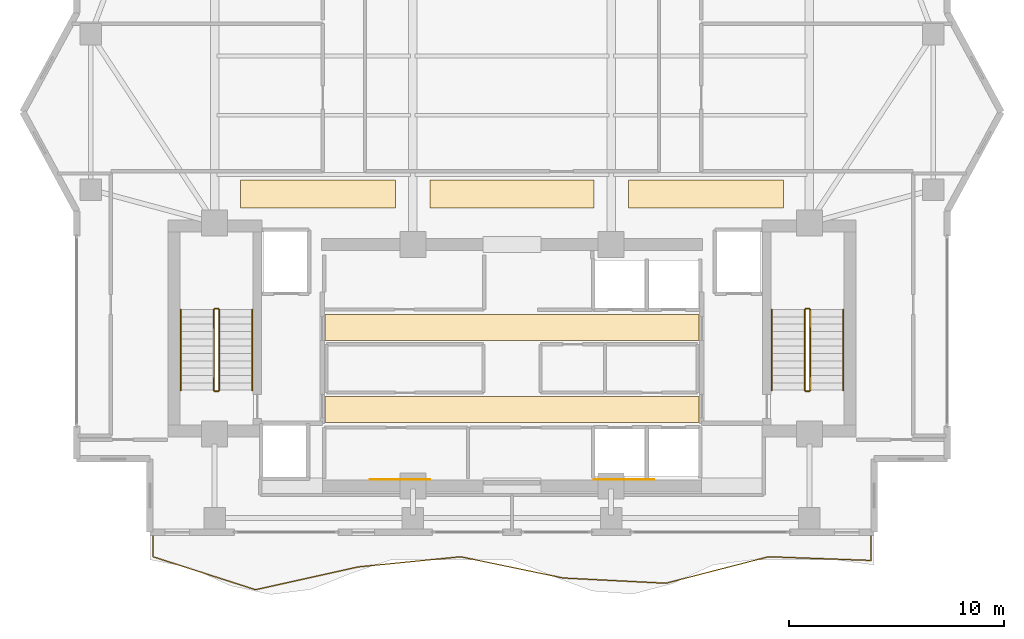
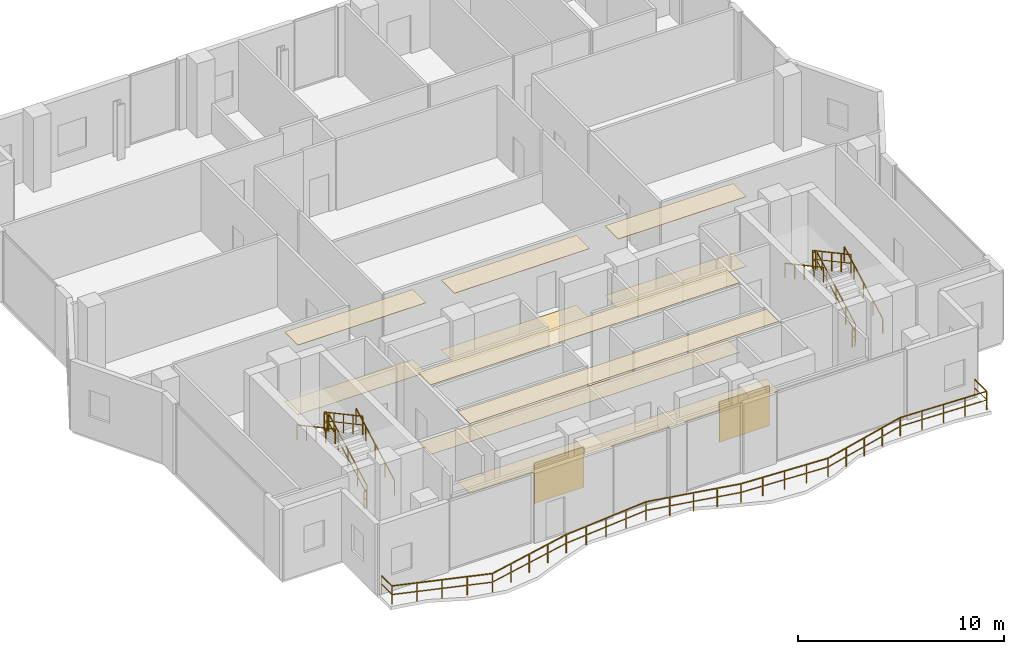
# One storey, part 21 of 24: 13 railings, 12 coverings.
"""IFC4 building model written with IfcOpenShell, lengths in metres."""

from ifc_helpers import new_model, si_unit, direction, frame, origin, origin_2d, place, context, subcontext, project, spatial, polyline, rectangle, outline, extrude, material, layer, layer_set, type_object, element, save


model = new_model("IFC4")

# Units and contexts
model_context = context("Model", 3, precision=1e-05, world=origin(), true_north=direction((0.0, 1.0)))
body_context = subcontext(model_context, "Body", "Model", "MODEL_VIEW")
ifc_project = project(units=[si_unit("LENGTHUNIT", "METRE"), si_unit("AREAUNIT", "SQUARE_METRE"), si_unit("VOLUMEUNIT", "CUBIC_METRE"), si_unit("PLANEANGLEUNIT", "RADIAN"), si_unit("MASSUNIT", "GRAM", prefix="KILO")], contexts=[model_context])

# Site, building, storey
site_placement = place(None, origin())
site = spatial("IfcSite", under=ifc_project, at=site_placement, CompositionType="ELEMENT")
building_placement = place(site_placement, origin())
building = spatial("IfcBuilding", under=site, at=building_placement, Name="Zuhayl Quay Hotel", CompositionType="ELEMENT")
storey_placement = place(building_placement, frame((0.0, 0.0, 292.85009765625)))
storey = spatial("IfcBuildingStorey", under=building, at=storey_placement, Name="L74", CompositionType="ELEMENT", Elevation=292.85009765625)

# Coverings
ifc_material_1 = material(Name="Acoustic Mineral-Fibre Gypsum Board")
ifc_layer_1 = layer(ifc_material_1, 0.02490234375, Name="Acoustic Mineral-Fibre Gypsum Board")
ifc_layer_set_1 = layer_set([ifc_layer_1], Name="Acoustic Mineral-Fibre Gypsum Board")
covering_type_1 = type_object("IfcCoveringType", Name="CV_CEIL_ACOUSTIC", PredefinedType="CEILING", material=ifc_layer_set_1)
covering_1_placement = place(storey_placement, frame((0.0, 0.0, 4.135009765625)))
element("IfcCovering", 1, at=covering_1_placement, inside=storey, type_object=covering_type_1, Name="L74 Suspended Acoustic Lobby Ceiling S", PredefinedType="CEILING", context=body_context, shape_type="SweptSolid", body=[
    extrude(outline(polyline([(-8.679931640625, 5.10009765625), (8.679931640625, 5.10009765625), (8.679931640625, 6.300048828125), (-8.679931640625, 6.300048828125), (-8.679931640625, 5.10009765625)])), origin(), (0.0, 0.0, 1.0), 0.02490234375),
])
covering_2_placement = place(storey_placement, frame((0.0, 0.0, 4.135009765625)))
element("IfcCovering", 2, at=covering_2_placement, inside=storey, type_object=covering_type_1, Name="L74 Suspended Acoustic Lobby Ceiling N", PredefinedType="CEILING", context=body_context, shape_type="SweptSolid", body=[
    extrude(outline(polyline([(-8.679931640625, 8.89990234375), (8.679931640625, 8.89990234375), (8.679931640625, 10.10009765625), (-8.679931640625, 10.10009765625), (-8.679931640625, 8.89990234375)])), origin(), (0.0, 0.0, 1.0), 0.02490234375),
])
covering_3_placement = place(storey_placement, frame((0.0, 0.0, 4.135009765625)))
element("IfcCovering", 3, at=covering_3_placement, inside=storey, type_object=covering_type_1, Name="L74 Guest Corridor Acoustic Ceiling CW", PredefinedType="CEILING", context=body_context, shape_type="SweptSolid", body=[
    extrude(outline(polyline([(-12.60009765625, 15.050048828125), (-5.39990234375, 15.050048828125), (-5.39990234375, 16.35009765625), (-12.60009765625, 16.35009765625), (-12.60009765625, 15.050048828125)])), origin(), (0.0, 0.0, 1.0), 0.02490234375),
])
covering_4_placement = place(storey_placement, frame((0.0, 0.0, 4.135009765625)))
element("IfcCovering", 4, at=covering_4_placement, inside=storey, type_object=covering_type_1, Name="L74 Guest Corridor Acoustic Ceiling CC", PredefinedType="CEILING", context=body_context, shape_type="SweptSolid", body=[
    extrude(outline(polyline([(-3.800048828125, 15.050048828125), (3.800048828125, 15.050048828125), (3.800048828125, 16.35009765625), (-3.800048828125, 16.35009765625), (-3.800048828125, 15.050048828125)])), origin(), (0.0, 0.0, 1.0), 0.02490234375),
])
covering_5_placement = place(storey_placement, frame((0.0, 0.0, 4.135009765625)))
element("IfcCovering", 5, at=covering_5_placement, inside=storey, type_object=covering_type_1, Name="L74 Guest Corridor Acoustic Ceiling CE", PredefinedType="CEILING", context=body_context, shape_type="SweptSolid", body=[
    extrude(outline(polyline([(5.39990234375, 15.050048828125), (12.60009765625, 15.050048828125), (12.60009765625, 16.35009765625), (5.39990234375, 16.35009765625), (5.39990234375, 15.050048828125)])), origin(), (0.0, 0.0, 1.0), 0.02490234375),
])
ifc_material_2 = material(Name="Polished Limestone Terrazzo", Category="masonry")
ifc_layer_2 = layer(ifc_material_2, 0.02001953125, Name="Polished Limestone Terrazzo", Category="masonry")
ifc_layer_set_2 = layer_set([ifc_layer_2], Name="Polished Limestone Terrazzo")
covering_type_2 = type_object("IfcCoveringType", Name="CV_FLOOR_TERRAZZO", PredefinedType="FLOORING", material=ifc_layer_set_2)
covering_6_placement = place(storey_placement, origin())
element("IfcCovering", 6, at=covering_6_placement, inside=storey, type_object=covering_type_2, Name="L74 Honed Limestone Terrazzo Lobby Flooring S", PredefinedType="FLOORING", context=body_context, shape_type="SweptSolid", body=[
    extrude(outline(polyline([(-8.679931640625, 5.10009765625), (8.679931640625, 5.10009765625), (8.679931640625, 6.300048828125), (-8.679931640625, 6.300048828125), (-8.679931640625, 5.10009765625)])), origin(), (0.0, 0.0, 1.0), 0.02001953125),
])
covering_7_placement = place(storey_placement, origin())
element("IfcCovering", 7, at=covering_7_placement, inside=storey, type_object=covering_type_2, Name="L74 Honed Limestone Terrazzo Lobby Flooring N", PredefinedType="FLOORING", context=body_context, shape_type="SweptSolid", body=[
    extrude(outline(polyline([(-8.679931640625, 8.89990234375), (8.679931640625, 8.89990234375), (8.679931640625, 10.10009765625), (-8.679931640625, 10.10009765625), (-8.679931640625, 8.89990234375)])), origin(), (0.0, 0.0, 1.0), 0.02001953125),
])
covering_8_placement = place(storey_placement, origin())
element("IfcCovering", 8, at=covering_8_placement, inside=storey, type_object=covering_type_2, Name="L74 Guest Corridor Terrazzo Runner CW", PredefinedType="FLOORING", context=body_context, shape_type="SweptSolid", body=[
    extrude(outline(polyline([(-12.60009765625, 15.050048828125), (-5.39990234375, 15.050048828125), (-5.39990234375, 16.35009765625), (-12.60009765625, 16.35009765625), (-12.60009765625, 15.050048828125)])), origin(), (0.0, 0.0, 1.0), 0.02001953125),
])
covering_9_placement = place(storey_placement, origin())
element("IfcCovering", 9, at=covering_9_placement, inside=storey, type_object=covering_type_2, Name="L74 Guest Corridor Terrazzo Runner CC", PredefinedType="FLOORING", context=body_context, shape_type="SweptSolid", body=[
    extrude(outline(polyline([(-3.800048828125, 15.050048828125), (3.800048828125, 15.050048828125), (3.800048828125, 16.35009765625), (-3.800048828125, 16.35009765625), (-3.800048828125, 15.050048828125)])), origin(), (0.0, 0.0, 1.0), 0.02001953125),
])
covering_10_placement = place(storey_placement, origin())
element("IfcCovering", 10, at=covering_10_placement, inside=storey, type_object=covering_type_2, Name="L74 Guest Corridor Terrazzo Runner CE", PredefinedType="FLOORING", context=body_context, shape_type="SweptSolid", body=[
    extrude(outline(polyline([(5.39990234375, 15.050048828125), (12.60009765625, 15.050048828125), (12.60009765625, 16.35009765625), (5.39990234375, 16.35009765625), (5.39990234375, 15.050048828125)])), origin(), (0.0, 0.0, 1.0), 0.02001953125),
])
ifc_material_3 = material(Name="Acoustic Walnut Feature Timber", Category="wood")
ifc_layer_3 = layer(ifc_material_3, 0.02197265625, Name="Acoustic Walnut Feature Timber", Category="wood")
ifc_layer_set_3 = layer_set([ifc_layer_3], Name="Acoustic Walnut Feature Timber")
covering_type_3 = type_object("IfcCoveringType", Name="CV_WALL_CLAD", PredefinedType="CLADDING", material=ifc_layer_set_3)
for number, where, z_axis, x_axis, name in (
    (11, (-5.199951171875, 2.43603515625, 0.300048828125), (0.0, 0.0, 1.0), (1.0, 0.0, 0.0), "L74 Feature Lobby Walnut Wall Cladding W"),
    (12, (5.199951171875, 2.43603515625, 0.300048828125), (0.0, 0.0, 1.0), (1.0, 0.0, 0.0), "L74 Feature Lobby Walnut Wall Cladding E"),
):
    element("IfcCovering", number, at=place(storey_placement, frame(where, z_axis=z_axis, x_axis=x_axis)), inside=storey, type_object=covering_type_3, Name=name, PredefinedType="CLADDING", context=body_context, shape_type="SweptSolid", body=[
        extrude(rectangle(XDim=2.800048828125, YDim=0.02197265625, at=origin_2d()), origin(), (0.0, 0.0, 1.0), 2.39990234375),
    ])

# Railings
ifc_material_4 = material(Name="Anodised Aluminium and Laminated Glass", Category="aluminium")
railing_type_1 = type_object("IfcRailingType", Name="RL_EXT_BAL_1100", PredefinedType="BALUSTRADE", material=ifc_material_4)
railing_1_placement = place(storey_placement, frame((-16.659912109375, -0.1201171875, 0.0)))
element("IfcRailing", 13, at=railing_1_placement, inside=storey, type_object=railing_type_1, Name="L74 Balcony and Terrace Guard GR_L74_BAL_S", PredefinedType="BALUSTRADE", context=body_context, shape_type="SweptSolid", body=[
    extrude(rectangle(XDim=0.048095703125, YDim=0.048095703125, at=origin_2d()), frame((0.0, 0.0, 1.09619140625), z_axis=(0.0, -1.0, 0.0), x_axis=(1.0, 0.0, 0.0)), (0.0, 0.0, 1.0), 1.019775390625),
    extrude(rectangle(XDim=0.0361328125, YDim=0.0361328125, at=origin_2d()), frame((0.0, 0.0, 0.58251953125), z_axis=(0.0, -1.0, 0.0), x_axis=(1.0, 0.0, 0.0)), (0.0, 0.0, 1.0), 1.019775390625),
    extrude(rectangle(XDim=0.048095703125, YDim=0.048095703125, at=origin_2d()), frame((0.0, -1.019775390625, 1.09619140625), z_axis=(0.951970121484, -0.306190933571, 0.0), x_axis=(0.306190933571, 0.951970121484, 0.0)), (0.0, 0.0, 1.0), 5.000244140625),
    extrude(rectangle(XDim=0.0361328125, YDim=0.0361328125, at=origin_2d()), frame((0.0, -1.019775390625, 0.58251953125), z_axis=(0.951970121484, -0.306190933571, 0.0), x_axis=(0.306190933571, 0.951970121484, 0.0)), (0.0, 0.0, 1.0), 5.000244140625),
    extrude(rectangle(XDim=0.048095703125, YDim=0.048095703125, at=origin_2d()), frame((4.760009765625, -2.55078125, 1.09619140625), z_axis=(0.97610925013, 0.217280306999, 0.0), x_axis=(-0.217280306999, 0.97610925013, 0.0)), (0.0, 0.0, 1.0), 4.87646484375),
    extrude(rectangle(XDim=0.0361328125, YDim=0.0361328125, at=origin_2d()), frame((4.760009765625, -2.55078125, 0.58251953125), z_axis=(0.97610925013, 0.217280306999, 0.0), x_axis=(-0.217280306999, 0.97610925013, 0.0)), (0.0, 0.0, 1.0), 4.87646484375),
    extrude(rectangle(XDim=0.048095703125, YDim=0.048095703125, at=origin_2d()), frame((9.52001953125, -1.4912109375, 1.09619140625), z_axis=(0.995131241685, 0.098558671985, 0.0), x_axis=(-0.098558671985, 0.995131241685, 0.0)), (0.0, 0.0, 1.0), 4.783203125),
    extrude(rectangle(XDim=0.0361328125, YDim=0.0361328125, at=origin_2d()), frame((9.52001953125, -1.4912109375, 0.58251953125), z_axis=(0.995131241685, 0.098558671985, 0.0), x_axis=(-0.098558671985, 0.995131241685, 0.0)), (0.0, 0.0, 1.0), 4.783203125),
    extrude(rectangle(XDim=0.048095703125, YDim=0.048095703125, at=origin_2d()), frame((14.280029296875, -1.019775390625, 1.09619140625), z_axis=(0.979187165661, -0.202959342246, 0.0), x_axis=(0.202959342246, 0.979187165661, 0.0)), (0.0, 0.0, 1.0), 4.86083984375),
    extrude(rectangle(XDim=0.0361328125, YDim=0.0361328125, at=origin_2d()), frame((14.280029296875, -1.019775390625, 0.58251953125), z_axis=(0.979187165661, -0.202959342246, 0.0), x_axis=(0.202959342246, 0.979187165661, 0.0)), (0.0, 0.0, 1.0), 4.86083984375),
    extrude(rectangle(XDim=0.048095703125, YDim=0.048095703125, at=origin_2d()), frame((19.039794921875, -2.00634765625, 1.09619140625), z_axis=(0.998713333504, -0.050711709502, 0.0), x_axis=(0.050711709502, 0.998713333504, 0.0)), (0.0, 0.0, 1.0), 4.76611328125),
    extrude(rectangle(XDim=0.0361328125, YDim=0.0361328125, at=origin_2d()), frame((19.039794921875, -2.00634765625, 0.58251953125), z_axis=(0.998713333504, -0.050711709502, 0.0), x_axis=(0.050711709502, 0.998713333504, 0.0)), (0.0, 0.0, 1.0), 4.76611328125),
    extrude(rectangle(XDim=0.048095703125, YDim=0.048095703125, at=origin_2d()), frame((23.7998046875, -2.248046875, 1.09619140625), z_axis=(0.968283137674, 0.249855488826, 0.0), x_axis=(-0.249855488826, 0.968283137674, 0.0)), (0.0, 0.0, 1.0), 4.916015625),
    extrude(rectangle(XDim=0.0361328125, YDim=0.0361328125, at=origin_2d()), frame((23.7998046875, -2.248046875, 0.58251953125), z_axis=(0.968283137674, 0.249855488826, 0.0), x_axis=(-0.249855488826, 0.968283137674, 0.0)), (0.0, 0.0, 1.0), 4.916015625),
    extrude(rectangle(XDim=0.048095703125, YDim=0.048095703125, at=origin_2d()), frame((28.559814453125, -1.019775390625, 1.09619140625), z_axis=(0.999352430133, -0.035982223211, 0.0), x_axis=(0.035982223211, 0.999352430133, 0.0)), (0.0, 0.0, 1.0), 4.76318359375),
    extrude(rectangle(XDim=0.0361328125, YDim=0.0361328125, at=origin_2d()), frame((28.559814453125, -1.019775390625, 0.58251953125), z_axis=(0.999352430133, -0.035982223211, 0.0), x_axis=(0.035982223211, 0.999352430133, 0.0)), (0.0, 0.0, 1.0), 4.76318359375),
    extrude(rectangle(XDim=0.048095703125, YDim=0.048095703125, at=origin_2d()), frame((33.31982421875, -1.191162109375, 1.09619140625), z_axis=(0.0, 1.0, 0.0), x_axis=(-1.0, 0.0, 0.0)), (0.0, 0.0, 1.0), 1.191162109375),
    extrude(rectangle(XDim=0.0361328125, YDim=0.0361328125, at=origin_2d()), frame((33.31982421875, -1.191162109375, 0.58251953125), z_axis=(0.0, 1.0, 0.0), x_axis=(-1.0, 0.0, 0.0)), (0.0, 0.0, 1.0), 1.191162109375),
    extrude(rectangle(XDim=0.0419921875, YDim=0.0419921875, at=origin_2d()), origin(), (0.0, 0.0, 1.0), 1.072021484375),
    extrude(rectangle(XDim=0.0419921875, YDim=0.0419921875, at=origin_2d()), frame((0.0, -1.019775390625, 0.0)), (0.0, 0.0, 1.0), 1.072021484375),
    extrude(rectangle(XDim=0.0419921875, YDim=0.0419921875, at=origin_2d()), frame((1.18994140625, -1.402587890625, 0.0)), (0.0, 0.0, 1.0), 1.072021484375),
    extrude(rectangle(XDim=0.0419921875, YDim=0.0419921875, at=origin_2d()), frame((2.3798828125, -1.78515625, 0.0)), (0.0, 0.0, 1.0), 1.072021484375),
    extrude(rectangle(XDim=0.0419921875, YDim=0.0419921875, at=origin_2d()), frame((3.570068359375, -2.16796875, 0.0)), (0.0, 0.0, 1.0), 1.072021484375),
    extrude(rectangle(XDim=0.0419921875, YDim=0.0419921875, at=origin_2d()), frame((4.760009765625, -2.55078125, 0.0)), (0.0, 0.0, 1.0), 1.072021484375),
    extrude(rectangle(XDim=0.0419921875, YDim=0.0419921875, at=origin_2d()), frame((5.949951171875, -2.285888671875, 0.0)), (0.0, 0.0, 1.0), 1.072021484375),
    extrude(rectangle(XDim=0.0419921875, YDim=0.0419921875, at=origin_2d()), frame((7.14013671875, -2.02099609375, 0.0)), (0.0, 0.0, 1.0), 1.072021484375),
    extrude(rectangle(XDim=0.0419921875, YDim=0.0419921875, at=origin_2d()), frame((8.330078125, -1.756103515625, 0.0)), (0.0, 0.0, 1.0), 1.072021484375),
    extrude(rectangle(XDim=0.0419921875, YDim=0.0419921875, at=origin_2d()), frame((9.52001953125, -1.4912109375, 0.0)), (0.0, 0.0, 1.0), 1.072021484375),
    extrude(rectangle(XDim=0.0419921875, YDim=0.0419921875, at=origin_2d()), frame((10.7099609375, -1.373291015625, 0.0)), (0.0, 0.0, 1.0), 1.072021484375),
    extrude(rectangle(XDim=0.0419921875, YDim=0.0419921875, at=origin_2d()), frame((11.89990234375, -1.25537109375, 0.0)), (0.0, 0.0, 1.0), 1.072021484375),
    extrude(rectangle(XDim=0.0419921875, YDim=0.0419921875, at=origin_2d()), frame((13.090087890625, -1.1376953125, 0.0)), (0.0, 0.0, 1.0), 1.072021484375),
    extrude(rectangle(XDim=0.0419921875, YDim=0.0419921875, at=origin_2d()), frame((14.280029296875, -1.019775390625, 0.0)), (0.0, 0.0, 1.0), 1.072021484375),
    extrude(rectangle(XDim=0.0419921875, YDim=0.0419921875, at=origin_2d()), frame((15.469970703125, -1.266357421875, 0.0)), (0.0, 0.0, 1.0), 1.072021484375),
    extrude(rectangle(XDim=0.0419921875, YDim=0.0419921875, at=origin_2d()), frame((16.659912109375, -1.51318359375, 0.0)), (0.0, 0.0, 1.0), 1.072021484375),
    extrude(rectangle(XDim=0.0419921875, YDim=0.0419921875, at=origin_2d()), frame((17.849853515625, -1.759765625, 0.0)), (0.0, 0.0, 1.0), 1.072021484375),
    extrude(rectangle(XDim=0.0419921875, YDim=0.0419921875, at=origin_2d()), frame((19.039794921875, -2.00634765625, 0.0)), (0.0, 0.0, 1.0), 1.072021484375),
    extrude(rectangle(XDim=0.0419921875, YDim=0.0419921875, at=origin_2d()), frame((20.229736328125, -2.06689453125, 0.0)), (0.0, 0.0, 1.0), 1.072021484375),
    extrude(rectangle(XDim=0.0419921875, YDim=0.0419921875, at=origin_2d()), frame((21.419921875, -2.127197265625, 0.0)), (0.0, 0.0, 1.0), 1.072021484375),
    extrude(rectangle(XDim=0.0419921875, YDim=0.0419921875, at=origin_2d()), frame((22.60986328125, -2.1875, 0.0)), (0.0, 0.0, 1.0), 1.072021484375),
    extrude(rectangle(XDim=0.0419921875, YDim=0.0419921875, at=origin_2d()), frame((23.7998046875, -2.248046875, 0.0)), (0.0, 0.0, 1.0), 1.072021484375),
    extrude(rectangle(XDim=0.0419921875, YDim=0.0419921875, at=origin_2d()), frame((24.98974609375, -1.94091796875, 0.0)), (0.0, 0.0, 1.0), 1.072021484375),
    extrude(rectangle(XDim=0.0419921875, YDim=0.0419921875, at=origin_2d()), frame((26.1796875, -1.6337890625, 0.0)), (0.0, 0.0, 1.0), 1.072021484375),
    extrude(rectangle(XDim=0.0419921875, YDim=0.0419921875, at=origin_2d()), frame((27.369873046875, -1.326904296875, 0.0)), (0.0, 0.0, 1.0), 1.072021484375),
    extrude(rectangle(XDim=0.0419921875, YDim=0.0419921875, at=origin_2d()), frame((28.559814453125, -1.019775390625, 0.0)), (0.0, 0.0, 1.0), 1.072021484375),
    extrude(rectangle(XDim=0.0419921875, YDim=0.0419921875, at=origin_2d()), frame((29.749755859375, -1.0625, 0.0)), (0.0, 0.0, 1.0), 1.072021484375),
    extrude(rectangle(XDim=0.0419921875, YDim=0.0419921875, at=origin_2d()), frame((30.93994140625, -1.10546875, 0.0)), (0.0, 0.0, 1.0), 1.072021484375),
    extrude(rectangle(XDim=0.0419921875, YDim=0.0419921875, at=origin_2d()), frame((32.1298828125, -1.1484375, 0.0)), (0.0, 0.0, 1.0), 1.072021484375),
    extrude(rectangle(XDim=0.0419921875, YDim=0.0419921875, at=origin_2d()), frame((33.31982421875, -1.191162109375, 0.0)), (0.0, 0.0, 1.0), 1.072021484375),
    extrude(rectangle(XDim=0.0419921875, YDim=0.0419921875, at=origin_2d()), frame((33.31982421875, 0.0, 0.0)), (0.0, 0.0, 1.0), 1.072021484375),
])
ifc_material_5 = material(Name="Steel ASTM A992 Grade 50", Category="steel")
railing_type_2 = type_object("IfcRailingType", Name="RL_GUARD_1100", PredefinedType="GUARDRAIL", material=ifc_material_5)
railing_2_placement = place(storey_placement, frame((-13.590087890625, 6.590087890625, 0.183349609375)))
element("IfcRailing", 14, at=railing_2_placement, inside=storey, type_object=railing_type_2, Name="L74 ST1 stair guard 1", PredefinedType="GUARDRAIL", context=body_context, shape_type="SweptSolid", body=[
    extrude(rectangle(XDim=0.048095703125, YDim=0.048095703125, at=origin_2d()), frame((0.0, 0.0, 1.09619140625), z_axis=(0.0, 0.880199743355, 0.474603425818), x_axis=(-1.0, 0.0, 0.0)), (0.0, 0.0, 1.0), 4.2490234375),
    extrude(rectangle(XDim=0.0361328125, YDim=0.0361328125, at=origin_2d()), frame((0.0, 0.0, 0.58251953125), z_axis=(0.0, 0.880199743355, 0.474603425818), x_axis=(-1.0, 0.0, 0.0)), (0.0, 0.0, 1.0), 4.2490234375),
    extrude(rectangle(XDim=0.0419921875, YDim=0.0419921875, at=origin_2d()), origin(), (0.0, 0.0, 1.0), 1.072021484375),
    extrude(rectangle(XDim=0.0419921875, YDim=0.0419921875, at=origin_2d()), frame((0.0, 0.93505859375, 0.504150390625)), (0.0, 0.0, 1.0), 1.072021484375),
    extrude(rectangle(XDim=0.0419921875, YDim=0.0419921875, at=origin_2d()), frame((0.0, 1.8701171875, 1.00830078125)), (0.0, 0.0, 1.0), 1.072021484375),
    extrude(rectangle(XDim=0.0419921875, YDim=0.0419921875, at=origin_2d()), frame((0.0, 2.804931640625, 1.512451171875)), (0.0, 0.0, 1.0), 1.072021484375),
    extrude(rectangle(XDim=0.0419921875, YDim=0.0419921875, at=origin_2d()), frame((0.0, 3.739990234375, 2.0166015625)), (0.0, 0.0, 1.0), 1.072021484375),
])
railing_3_placement = place(storey_placement, frame((-13.639892578125, 10.3798828125, 2.199951171875)))
element("IfcRailing", 15, at=railing_3_placement, inside=storey, type_object=railing_type_2, Name="L74 ST1 stair guard 2", PredefinedType="GUARDRAIL", context=body_context, shape_type="SweptSolid", body=[
    extrude(rectangle(XDim=0.048095703125, YDim=0.048095703125, at=origin_2d()), frame((0.0, 0.0, 1.09619140625), z_axis=(-1.0, 0.0, 0.0), x_axis=(0.0, -1.0, 0.0)), (0.0, 0.0, 1.0), 0.150146484375),
    extrude(rectangle(XDim=0.0361328125, YDim=0.0361328125, at=origin_2d()), frame((0.0, 0.0, 0.58251953125), z_axis=(-1.0, 0.0, 0.0), x_axis=(0.0, -1.0, 0.0)), (0.0, 0.0, 1.0), 0.150146484375),
    extrude(rectangle(XDim=0.0419921875, YDim=0.0419921875, at=origin_2d()), origin(), (0.0, 0.0, 1.0), 1.072021484375),
    extrude(rectangle(XDim=0.0419921875, YDim=0.0419921875, at=origin_2d()), frame((-0.150146484375, 0.0, 0.0)), (0.0, 0.0, 1.0), 1.072021484375),
])
railing_4_placement = place(storey_placement, frame((-13.840087890625, 10.330078125, 2.38330078125)))
element("IfcRailing", 16, at=railing_4_placement, inside=storey, type_object=railing_type_2, Name="L74 ST1 stair guard 3", PredefinedType="GUARDRAIL", context=body_context, shape_type="SweptSolid", body=[
    extrude(rectangle(XDim=0.048095703125, YDim=0.048095703125, at=origin_2d()), frame((0.0, 0.0, 1.09619140625), z_axis=(0.0, -0.880199743355, 0.474603425818), x_axis=(1.0, 0.0, 0.0)), (0.0, 0.0, 1.0), 4.2490234375),
    extrude(rectangle(XDim=0.0361328125, YDim=0.0361328125, at=origin_2d()), frame((0.0, 0.0, 0.58251953125), z_axis=(0.0, -0.880199743355, 0.474603425818), x_axis=(1.0, 0.0, 0.0)), (0.0, 0.0, 1.0), 4.2490234375),
    extrude(rectangle(XDim=0.0419921875, YDim=0.0419921875, at=origin_2d()), origin(), (0.0, 0.0, 1.0), 1.072021484375),
    extrude(rectangle(XDim=0.0419921875, YDim=0.0419921875, at=origin_2d()), frame((0.0, -0.93505859375, 0.504150390625)), (0.0, 0.0, 1.0), 1.072021484375),
    extrude(rectangle(XDim=0.0419921875, YDim=0.0419921875, at=origin_2d()), frame((0.0, -1.8701171875, 1.00830078125)), (0.0, 0.0, 1.0), 1.072021484375),
    extrude(rectangle(XDim=0.0419921875, YDim=0.0419921875, at=origin_2d()), frame((0.0, -2.804931640625, 1.512451171875)), (0.0, 0.0, 1.0), 1.072021484375),
    extrude(rectangle(XDim=0.0419921875, YDim=0.0419921875, at=origin_2d()), frame((0.0, -3.739990234375, 2.0166015625)), (0.0, 0.0, 1.0), 1.072021484375),
])
railing_5_placement = place(storey_placement, frame((-13.639892578125, 6.5400390625, 0.0)))
element("IfcRailing", 17, at=railing_5_placement, inside=storey, type_object=railing_type_2, Name="L74 ST1 stair guard 4", PredefinedType="GUARDRAIL", context=body_context, shape_type="SweptSolid", body=[
    extrude(rectangle(XDim=0.048095703125, YDim=0.048095703125, at=origin_2d()), frame((0.0, 0.0, 1.09619140625), z_axis=(-1.0, 0.0, 0.0), x_axis=(0.0, -1.0, 0.0)), (0.0, 0.0, 1.0), 0.150146484375),
    extrude(rectangle(XDim=0.0361328125, YDim=0.0361328125, at=origin_2d()), frame((0.0, 0.0, 0.58251953125), z_axis=(-1.0, 0.0, 0.0), x_axis=(0.0, -1.0, 0.0)), (0.0, 0.0, 1.0), 0.150146484375),
    extrude(rectangle(XDim=0.0419921875, YDim=0.0419921875, at=origin_2d()), origin(), (0.0, 0.0, 1.0), 1.072021484375),
    extrude(rectangle(XDim=0.0419921875, YDim=0.0419921875, at=origin_2d()), frame((-0.150146484375, 0.0, 0.0)), (0.0, 0.0, 1.0), 1.072021484375),
])
railing_6_placement = place(storey_placement, frame((13.840087890625, 6.590087890625, 0.183349609375)))
element("IfcRailing", 18, at=railing_6_placement, inside=storey, type_object=railing_type_2, Name="L74 ST2 stair guard 1", PredefinedType="GUARDRAIL", context=body_context, shape_type="SweptSolid", body=[
    extrude(rectangle(XDim=0.048095703125, YDim=0.048095703125, at=origin_2d()), frame((0.0, 0.0, 1.09619140625), z_axis=(0.0, 0.880199743355, 0.474603425818), x_axis=(-1.0, 0.0, 0.0)), (0.0, 0.0, 1.0), 4.2490234375),
    extrude(rectangle(XDim=0.0361328125, YDim=0.0361328125, at=origin_2d()), frame((0.0, 0.0, 0.58251953125), z_axis=(0.0, 0.880199743355, 0.474603425818), x_axis=(-1.0, 0.0, 0.0)), (0.0, 0.0, 1.0), 4.2490234375),
    extrude(rectangle(XDim=0.0419921875, YDim=0.0419921875, at=origin_2d()), origin(), (0.0, 0.0, 1.0), 1.072021484375),
    extrude(rectangle(XDim=0.0419921875, YDim=0.0419921875, at=origin_2d()), frame((0.0, 0.93505859375, 0.504150390625)), (0.0, 0.0, 1.0), 1.072021484375),
    extrude(rectangle(XDim=0.0419921875, YDim=0.0419921875, at=origin_2d()), frame((0.0, 1.8701171875, 1.00830078125)), (0.0, 0.0, 1.0), 1.072021484375),
    extrude(rectangle(XDim=0.0419921875, YDim=0.0419921875, at=origin_2d()), frame((0.0, 2.804931640625, 1.512451171875)), (0.0, 0.0, 1.0), 1.072021484375),
    extrude(rectangle(XDim=0.0419921875, YDim=0.0419921875, at=origin_2d()), frame((0.0, 3.739990234375, 2.0166015625)), (0.0, 0.0, 1.0), 1.072021484375),
])
railing_7_placement = place(storey_placement, frame((13.7900390625, 10.3798828125, 2.199951171875)))
element("IfcRailing", 19, at=railing_7_placement, inside=storey, type_object=railing_type_2, Name="L74 ST2 stair guard 2", PredefinedType="GUARDRAIL", context=body_context, shape_type="SweptSolid", body=[
    extrude(rectangle(XDim=0.048095703125, YDim=0.048095703125, at=origin_2d()), frame((0.0, 0.0, 1.09619140625), z_axis=(-1.0, 0.0, 0.0), x_axis=(0.0, -1.0, 0.0)), (0.0, 0.0, 1.0), 0.150146484375),
    extrude(rectangle(XDim=0.0361328125, YDim=0.0361328125, at=origin_2d()), frame((0.0, 0.0, 0.58251953125), z_axis=(-1.0, 0.0, 0.0), x_axis=(0.0, -1.0, 0.0)), (0.0, 0.0, 1.0), 0.150146484375),
    extrude(rectangle(XDim=0.0419921875, YDim=0.0419921875, at=origin_2d()), origin(), (0.0, 0.0, 1.0), 1.072021484375),
    extrude(rectangle(XDim=0.0419921875, YDim=0.0419921875, at=origin_2d()), frame((-0.150146484375, 0.0, 0.0)), (0.0, 0.0, 1.0), 1.072021484375),
])
railing_8_placement = place(storey_placement, frame((13.590087890625, 10.330078125, 2.38330078125)))
element("IfcRailing", 20, at=railing_8_placement, inside=storey, type_object=railing_type_2, Name="L74 ST2 stair guard 3", PredefinedType="GUARDRAIL", context=body_context, shape_type="SweptSolid", body=[
    extrude(rectangle(XDim=0.048095703125, YDim=0.048095703125, at=origin_2d()), frame((0.0, 0.0, 1.09619140625), z_axis=(0.0, -0.880199743355, 0.474603425818), x_axis=(1.0, 0.0, 0.0)), (0.0, 0.0, 1.0), 4.2490234375),
    extrude(rectangle(XDim=0.0361328125, YDim=0.0361328125, at=origin_2d()), frame((0.0, 0.0, 0.58251953125), z_axis=(0.0, -0.880199743355, 0.474603425818), x_axis=(1.0, 0.0, 0.0)), (0.0, 0.0, 1.0), 4.2490234375),
    extrude(rectangle(XDim=0.0419921875, YDim=0.0419921875, at=origin_2d()), origin(), (0.0, 0.0, 1.0), 1.072021484375),
    extrude(rectangle(XDim=0.0419921875, YDim=0.0419921875, at=origin_2d()), frame((0.0, -0.93505859375, 0.504150390625)), (0.0, 0.0, 1.0), 1.072021484375),
    extrude(rectangle(XDim=0.0419921875, YDim=0.0419921875, at=origin_2d()), frame((0.0, -1.8701171875, 1.00830078125)), (0.0, 0.0, 1.0), 1.072021484375),
    extrude(rectangle(XDim=0.0419921875, YDim=0.0419921875, at=origin_2d()), frame((0.0, -2.804931640625, 1.512451171875)), (0.0, 0.0, 1.0), 1.072021484375),
    extrude(rectangle(XDim=0.0419921875, YDim=0.0419921875, at=origin_2d()), frame((0.0, -3.739990234375, 2.0166015625)), (0.0, 0.0, 1.0), 1.072021484375),
])
railing_9_placement = place(storey_placement, frame((13.7900390625, 6.5400390625, 0.0)))
element("IfcRailing", 21, at=railing_9_placement, inside=storey, type_object=railing_type_2, Name="L74 ST2 stair guard 4", PredefinedType="GUARDRAIL", context=body_context, shape_type="SweptSolid", body=[
    extrude(rectangle(XDim=0.048095703125, YDim=0.048095703125, at=origin_2d()), frame((0.0, 0.0, 1.09619140625), z_axis=(-1.0, 0.0, 0.0), x_axis=(0.0, -1.0, 0.0)), (0.0, 0.0, 1.0), 0.150146484375),
    extrude(rectangle(XDim=0.0361328125, YDim=0.0361328125, at=origin_2d()), frame((0.0, 0.0, 0.58251953125), z_axis=(-1.0, 0.0, 0.0), x_axis=(0.0, -1.0, 0.0)), (0.0, 0.0, 1.0), 0.150146484375),
    extrude(rectangle(XDim=0.0419921875, YDim=0.0419921875, at=origin_2d()), origin(), (0.0, 0.0, 1.0), 1.072021484375),
    extrude(rectangle(XDim=0.0419921875, YDim=0.0419921875, at=origin_2d()), frame((-0.150146484375, 0.0, 0.0)), (0.0, 0.0, 1.0), 1.072021484375),
])
railing_type_3 = type_object("IfcRailingType", Name="RL_HANDRAIL_920", PredefinedType="HANDRAIL", material=ifc_material_5)
railing_10_placement = place(storey_placement, frame((-12.050048828125, 6.590087890625, 0.183349609375)))
element("IfcRailing", 22, at=railing_10_placement, inside=storey, type_object=railing_type_3, Name="L74 ST1 stair handrail 1", PredefinedType="HANDRAIL", context=body_context, shape_type="SweptSolid", body=[
    extrude(rectangle(XDim=0.048095703125, YDim=0.048095703125, at=origin_2d()), frame((0.0, 0.0, 0.8759765625), z_axis=(0.0, 0.880199743355, 0.474603425818), x_axis=(-1.0, 0.0, 0.0)), (0.0, 0.0, 1.0), 4.2490234375),
    extrude(rectangle(XDim=0.0419921875, YDim=0.0419921875, at=origin_2d()), origin(), (0.0, 0.0, 1.0), 0.851806640625),
    extrude(rectangle(XDim=0.0419921875, YDim=0.0419921875, at=origin_2d()), frame((0.0, 0.93505859375, 0.504150390625)), (0.0, 0.0, 1.0), 0.851806640625),
    extrude(rectangle(XDim=0.0419921875, YDim=0.0419921875, at=origin_2d()), frame((0.0, 1.8701171875, 1.00830078125)), (0.0, 0.0, 1.0), 0.851806640625),
    extrude(rectangle(XDim=0.0419921875, YDim=0.0419921875, at=origin_2d()), frame((0.0, 2.804931640625, 1.512451171875)), (0.0, 0.0, 1.0), 0.851806640625),
    extrude(rectangle(XDim=0.0419921875, YDim=0.0419921875, at=origin_2d()), frame((0.0, 3.739990234375, 2.0166015625)), (0.0, 0.0, 1.0), 0.851806640625),
])
railing_11_placement = place(storey_placement, frame((-15.3798828125, 10.330078125, 2.38330078125)))
element("IfcRailing", 23, at=railing_11_placement, inside=storey, type_object=railing_type_3, Name="L74 ST1 stair handrail 2", PredefinedType="HANDRAIL", context=body_context, shape_type="SweptSolid", body=[
    extrude(rectangle(XDim=0.048095703125, YDim=0.048095703125, at=origin_2d()), frame((0.0, 0.0, 0.8759765625), z_axis=(0.0, -0.880199743355, 0.474603425818), x_axis=(1.0, 0.0, 0.0)), (0.0, 0.0, 1.0), 4.2490234375),
    extrude(rectangle(XDim=0.0419921875, YDim=0.0419921875, at=origin_2d()), origin(), (0.0, 0.0, 1.0), 0.851806640625),
    extrude(rectangle(XDim=0.0419921875, YDim=0.0419921875, at=origin_2d()), frame((0.0, -0.93505859375, 0.504150390625)), (0.0, 0.0, 1.0), 0.851806640625),
    extrude(rectangle(XDim=0.0419921875, YDim=0.0419921875, at=origin_2d()), frame((0.0, -1.8701171875, 1.00830078125)), (0.0, 0.0, 1.0), 0.851806640625),
    extrude(rectangle(XDim=0.0419921875, YDim=0.0419921875, at=origin_2d()), frame((0.0, -2.804931640625, 1.512451171875)), (0.0, 0.0, 1.0), 0.851806640625),
    extrude(rectangle(XDim=0.0419921875, YDim=0.0419921875, at=origin_2d()), frame((0.0, -3.739990234375, 2.0166015625)), (0.0, 0.0, 1.0), 0.851806640625),
])
railing_12_placement = place(storey_placement, frame((15.3798828125, 6.590087890625, 0.183349609375)))
element("IfcRailing", 24, at=railing_12_placement, inside=storey, type_object=railing_type_3, Name="L74 ST2 stair handrail 1", PredefinedType="HANDRAIL", context=body_context, shape_type="SweptSolid", body=[
    extrude(rectangle(XDim=0.048095703125, YDim=0.048095703125, at=origin_2d()), frame((0.0, 0.0, 0.8759765625), z_axis=(0.0, 0.880199743355, 0.474603425818), x_axis=(-1.0, 0.0, 0.0)), (0.0, 0.0, 1.0), 4.2490234375),
    extrude(rectangle(XDim=0.0419921875, YDim=0.0419921875, at=origin_2d()), origin(), (0.0, 0.0, 1.0), 0.851806640625),
    extrude(rectangle(XDim=0.0419921875, YDim=0.0419921875, at=origin_2d()), frame((0.0, 0.93505859375, 0.504150390625)), (0.0, 0.0, 1.0), 0.851806640625),
    extrude(rectangle(XDim=0.0419921875, YDim=0.0419921875, at=origin_2d()), frame((0.0, 1.8701171875, 1.00830078125)), (0.0, 0.0, 1.0), 0.851806640625),
    extrude(rectangle(XDim=0.0419921875, YDim=0.0419921875, at=origin_2d()), frame((0.0, 2.804931640625, 1.512451171875)), (0.0, 0.0, 1.0), 0.851806640625),
    extrude(rectangle(XDim=0.0419921875, YDim=0.0419921875, at=origin_2d()), frame((0.0, 3.739990234375, 2.0166015625)), (0.0, 0.0, 1.0), 0.851806640625),
])
railing_13_placement = place(storey_placement, frame((12.050048828125, 10.330078125, 2.38330078125)))
element("IfcRailing", 25, at=railing_13_placement, inside=storey, type_object=railing_type_3, Name="L74 ST2 stair handrail 2", PredefinedType="HANDRAIL", context=body_context, shape_type="SweptSolid", body=[
    extrude(rectangle(XDim=0.048095703125, YDim=0.048095703125, at=origin_2d()), frame((0.0, 0.0, 0.8759765625), z_axis=(0.0, -0.880199743355, 0.474603425818), x_axis=(1.0, 0.0, 0.0)), (0.0, 0.0, 1.0), 4.2490234375),
    extrude(rectangle(XDim=0.0419921875, YDim=0.0419921875, at=origin_2d()), origin(), (0.0, 0.0, 1.0), 0.851806640625),
    extrude(rectangle(XDim=0.0419921875, YDim=0.0419921875, at=origin_2d()), frame((0.0, -0.93505859375, 0.504150390625)), (0.0, 0.0, 1.0), 0.851806640625),
    extrude(rectangle(XDim=0.0419921875, YDim=0.0419921875, at=origin_2d()), frame((0.0, -1.8701171875, 1.00830078125)), (0.0, 0.0, 1.0), 0.851806640625),
    extrude(rectangle(XDim=0.0419921875, YDim=0.0419921875, at=origin_2d()), frame((0.0, -2.804931640625, 1.512451171875)), (0.0, 0.0, 1.0), 0.851806640625),
    extrude(rectangle(XDim=0.0419921875, YDim=0.0419921875, at=origin_2d()), frame((0.0, -3.739990234375, 2.0166015625)), (0.0, 0.0, 1.0), 0.851806640625),
])

save(model, "model.ifc")
